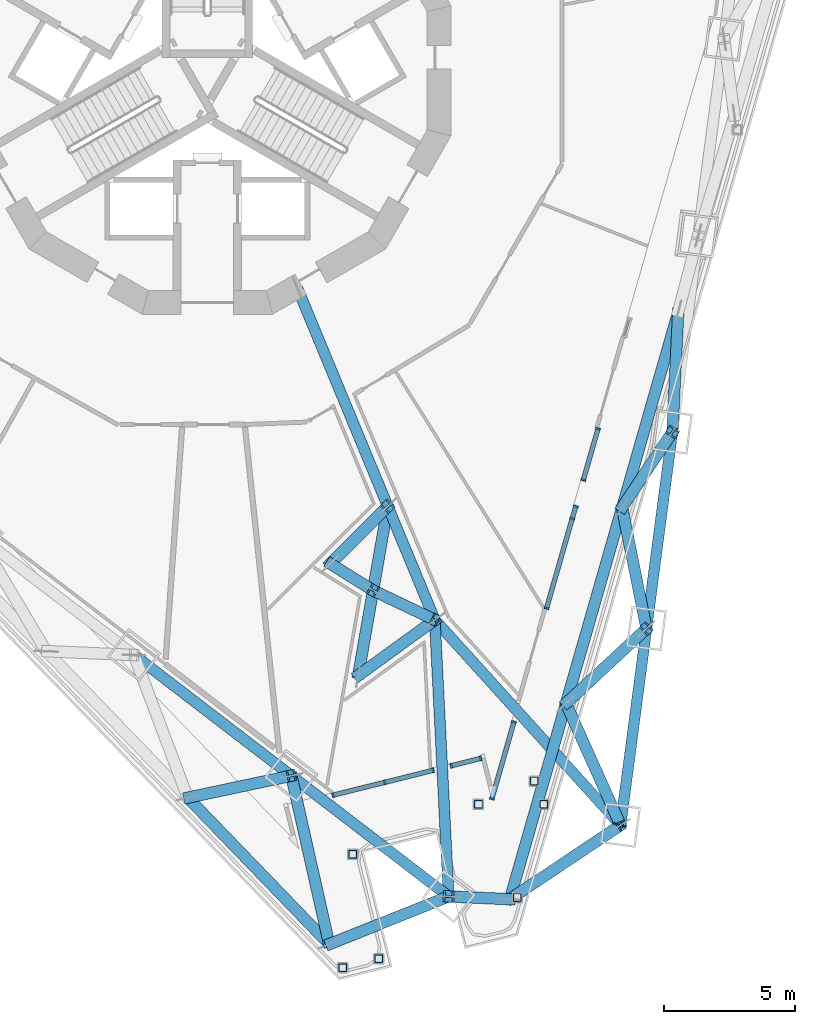
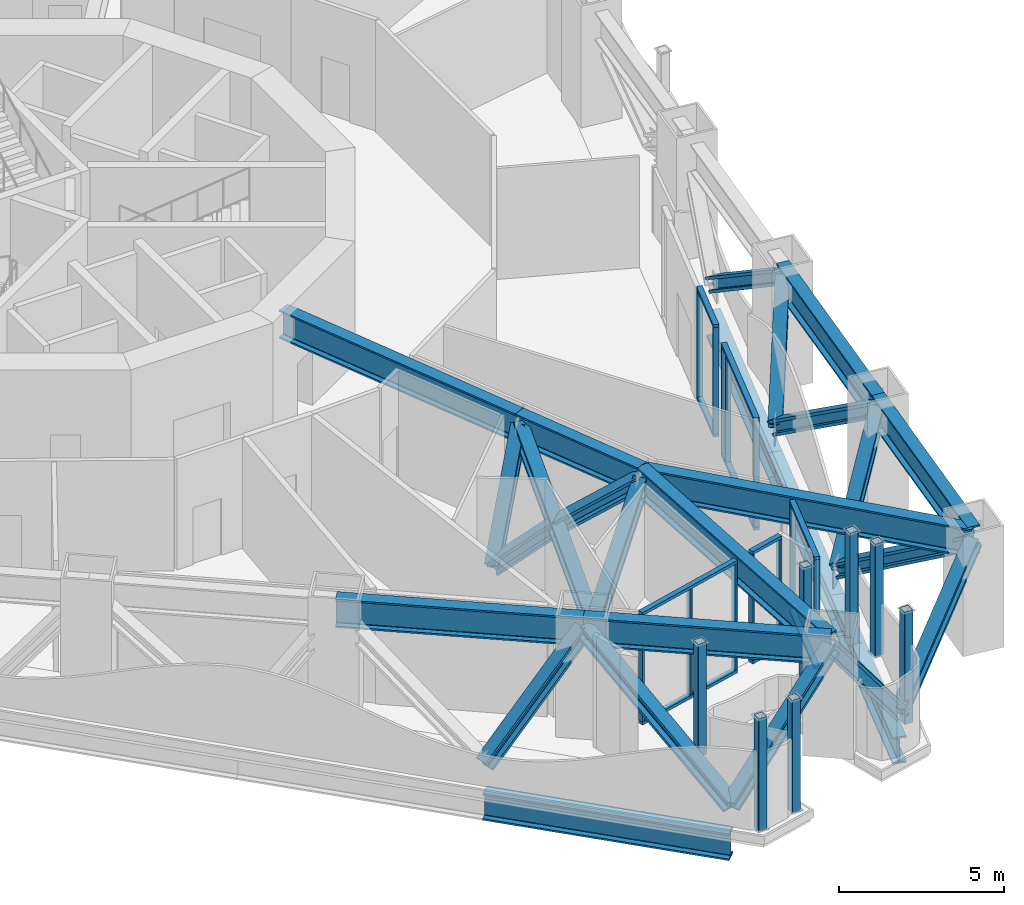
# One storey, part 2 of 26: 52 members, 4 beams, 5 elements without a shape of their own.
"""IFC4 building model written with IfcOpenShell, lengths in metres."""

from ifc_helpers import new_model, si_unit, direction, frame, origin, origin_2d, place, context, subcontext, project, spatial, rectangle, hollow_rectangle, i_section, extrude, material, layer, layer_set, material_profile, profile_set, type_object, element, aggregate, save


model = new_model("IFC4")

# Units and contexts
model_context = context("Model", 3, precision=1e-05, world=origin(), true_north=direction((0.0, 1.0)))
body_context = subcontext(model_context, "Body", "Model", "MODEL_VIEW")
ifc_project = project(units=[si_unit("LENGTHUNIT", "METRE"), si_unit("AREAUNIT", "SQUARE_METRE"), si_unit("VOLUMEUNIT", "CUBIC_METRE"), si_unit("PLANEANGLEUNIT", "RADIAN"), si_unit("MASSUNIT", "GRAM", prefix="KILO")], contexts=[model_context])

# Site, building, storey
site_placement = place(None, origin())
site = spatial("IfcSite", under=ifc_project, at=site_placement, CompositionType="ELEMENT")
building_placement = place(site_placement, origin())
building = spatial("IfcBuilding", under=site, at=building_placement, Name="Trine Commons Tower", CompositionType="ELEMENT")
storey_placement = place(building_placement, frame((0.0, 0.0, 119.699951171875)))
storey = spatial("IfcBuildingStorey", under=building, at=storey_placement, Name="L30", CompositionType="ELEMENT", Elevation=119.699951171875)

# Curtain wall, members
ifc_material_1 = material(Name="Sky lounge glazing: anodised aluminium frame with low-emissivity double glazed unit, solar control", Category="aluminium")
ifc_layer = layer(ifc_material_1, 0.179931640625)
ifc_layer_set = layer_set([ifc_layer], Name="Sky lounge glazing: anodised aluminium frame with low-emissivity double glazed unit, solar control")
curtain_wall_type = type_object("IfcCurtainWallType", Name="Sky lounge glazing curtain wall CW5", PredefinedType="NOTDEFINED", material=ifc_layer_set)
curtain_wall_1_placement = place(storey_placement, origin())
curtain_wall_1 = element("IfcCurtainWall", 1, at=curtain_wall_1_placement, inside=storey, type_object=curtain_wall_type, Name="Sky lounge glazing L30 F2.2", PredefinedType="NOTDEFINED")
ifc_material_2 = material(Name="Anodised aluminium, bronze finish", Category="aluminium")
ifc_material_profile_1 = material_profile(ifc_material_2, rectangle(XDim=0.179931640625, YDim=0.074951171875, at=origin_2d()), Name="Mullion 75x180")
ifc_profile_set_1 = profile_set([ifc_material_profile_1], Name="Anodised aluminium, bronze finish")
member_type_1 = type_object("IfcMemberType", Name="Mullion 75x180, Anodised aluminium, bronze finish", PredefinedType="MULLION", material=ifc_profile_set_1)
member_1_placement = place(storey_placement, frame((94.876220703125, 48.863037109375, 0.110107421875), z_axis=(0.0, 0.0, 1.0), x_axis=(0.961261695938, -0.275637355817, 0.0)))
member_1 = element("IfcMember", 2, at=member_1_placement, type_object=member_type_1, Name="CW5 mullion 1.1", PredefinedType="MULLION", context=body_context, shape_type="SweptSolid", body=[
    extrude(rectangle(XDim=0.179931640625, YDim=0.074951171875, at=origin_2d()), origin(), (0.0, 0.0, 1.0), 3.929931640625),
])
member_2_placement = place(storey_placement, frame((94.318603515625, 46.918212890625, 0.110107421875), z_axis=(0.0, 0.0, 1.0), x_axis=(0.961261695938, -0.275637355817, 0.0)))
member_2 = element("IfcMember", 3, at=member_2_placement, type_object=member_type_1, Name="CW5 mullion 2.1", PredefinedType="MULLION", context=body_context, shape_type="SweptSolid", body=[
    extrude(rectangle(XDim=0.179931640625, YDim=0.074951171875, at=origin_2d()), origin(), (0.0, 0.0, 1.0), 3.929931640625),
])

curtain_wall_2_placement = place(storey_placement, origin())
curtain_wall_2 = element("IfcCurtainWall", 4, at=curtain_wall_2_placement, inside=storey, type_object=curtain_wall_type, Name="Sky lounge glazing L30 F2.3", PredefinedType="NOTDEFINED")
member_3_placement = place(storey_placement, frame((94.029052734375, 45.907958984375, 0.110107421875), z_axis=(0.0, 0.0, 1.0), x_axis=(0.961261695938, -0.275637355817, 0.0)))
member_3 = element("IfcMember", 5, at=member_3_placement, type_object=member_type_1, Name="CW5 mullion 1.1", PredefinedType="MULLION", context=body_context, shape_type="SweptSolid", body=[
    extrude(rectangle(XDim=0.179931640625, YDim=0.074951171875, at=origin_2d()), origin(), (0.0, 0.0, 1.0), 3.929931640625),
])
member_4_placement = place(storey_placement, frame((93.897705078125, 45.449951171875, 0.110107421875), z_axis=(0.0, 0.0, 1.0), x_axis=(0.961261695938, -0.275637355817, 0.0)))
member_4 = element("IfcMember", 6, at=member_4_placement, type_object=member_type_1, Name="CW5 mullion 2.1", PredefinedType="MULLION", context=body_context, shape_type="SweptSolid", body=[
    extrude(rectangle(XDim=0.179931640625, YDim=0.074951171875, at=origin_2d()), origin(), (0.0, 0.0, 1.0), 3.929931640625),
])
member_5_placement = place(storey_placement, frame((92.9189453125, 42.03662109375, 0.110107421875), z_axis=(0.0, 0.0, 1.0), x_axis=(0.961261695938, -0.275637355817, 0.0)))
member_5 = element("IfcMember", 7, at=member_5_placement, type_object=member_type_1, Name="CW5 mullion 3.1", PredefinedType="MULLION", context=body_context, shape_type="SweptSolid", body=[
    extrude(rectangle(XDim=0.179931640625, YDim=0.074951171875, at=origin_2d()), origin(), (0.0, 0.0, 1.0), 3.929931640625),
])

curtain_wall_3_placement = place(storey_placement, origin())
curtain_wall_3 = element("IfcCurtainWall", 8, at=curtain_wall_3_placement, inside=storey, type_object=curtain_wall_type, Name="Sky lounge glazing L30 F2.4", PredefinedType="NOTDEFINED")
member_6_placement = place(storey_placement, frame((91.67431640625, 37.696044921875, 0.110107421875), z_axis=(0.0, 0.0, 1.0), x_axis=(0.961261695938, -0.275637355817, 0.0)))
member_6 = element("IfcMember", 9, at=member_6_placement, type_object=member_type_1, Name="CW5 mullion 1.1", PredefinedType="MULLION", context=body_context, shape_type="SweptSolid", body=[
    extrude(rectangle(XDim=0.179931640625, YDim=0.074951171875, at=origin_2d()), origin(), (0.0, 0.0, 1.0), 3.929931640625),
])
member_7_placement = place(storey_placement, frame((90.838134765625, 34.780029296875, 0.110107421875), z_axis=(0.0, 0.0, 1.0), x_axis=(0.961261695938, -0.275637355817, 0.0)))
member_7 = element("IfcMember", 10, at=member_7_placement, type_object=member_type_1, Name="CW5 mullion 2.1", PredefinedType="MULLION", context=body_context, shape_type="SweptSolid", body=[
    extrude(rectangle(XDim=0.179931640625, YDim=0.074951171875, at=origin_2d()), origin(), (0.0, 0.0, 1.0), 3.929931640625),
])

curtain_wall_4_placement = place(storey_placement, origin())
curtain_wall_4 = element("IfcCurtainWall", 11, at=curtain_wall_4_placement, inside=storey, type_object=curtain_wall_type, Name="Sky lounge glazing L30 P3.1", PredefinedType="NOTDEFINED")
member_8_placement = place(storey_placement, frame((90.406982421875, 36.31201171875, 0.110107421875), z_axis=(0.0, 0.0, 1.0), x_axis=(0.2419218956, -0.970295726276, 0.0)))
member_8 = element("IfcMember", 12, at=member_8_placement, type_object=member_type_1, Name="CW5 mullion 1.1", PredefinedType="MULLION", context=body_context, shape_type="SweptSolid", body=[
    extrude(rectangle(XDim=0.179931640625, YDim=0.074951171875, at=origin_2d()), origin(), (0.0, 0.0, 1.0), 3.929931640625),
])
member_9_placement = place(storey_placement, frame((89.289794921875, 36.033447265625, 0.110107421875), z_axis=(0.0, 0.0, 1.0), x_axis=(0.2419218956, -0.970295726276, 0.0)))
member_9 = element("IfcMember", 13, at=member_9_placement, type_object=member_type_1, Name="CW5 mullion 2.1", PredefinedType="MULLION", context=body_context, shape_type="SweptSolid", body=[
    extrude(rectangle(XDim=0.179931640625, YDim=0.074951171875, at=origin_2d()), origin(), (0.0, 0.0, 1.0), 3.929931640625),
])

curtain_wall_5_placement = place(storey_placement, origin())
curtain_wall_5 = element("IfcCurtainWall", 14, at=curtain_wall_5_placement, inside=storey, type_object=curtain_wall_type, Name="Sky lounge glazing L30 P3.2", PredefinedType="NOTDEFINED")
member_10_placement = place(storey_placement, frame((88.5947265625, 35.860107421875, 0.110107421875), z_axis=(0.0, 0.0, 1.0), x_axis=(0.2419218956, -0.970295726276, 0.0)))
member_10 = element("IfcMember", 15, at=member_10_placement, type_object=member_type_1, Name="CW5 mullion 1.1", PredefinedType="MULLION", context=body_context, shape_type="SweptSolid", body=[
    extrude(rectangle(XDim=0.179931640625, YDim=0.074951171875, at=origin_2d()), origin(), (0.0, 0.0, 1.0), 3.929931640625),
])
member_11_placement = place(storey_placement, frame((86.75634765625, 35.401611328125, 0.110107421875), z_axis=(0.0, 0.0, 1.0), x_axis=(0.2419218956, -0.970295726276, 0.0)))
member_11 = element("IfcMember", 16, at=member_11_placement, type_object=member_type_1, Name="CW5 mullion 2.1", PredefinedType="MULLION", context=body_context, shape_type="SweptSolid", body=[
    extrude(rectangle(XDim=0.179931640625, YDim=0.074951171875, at=origin_2d()), origin(), (0.0, 0.0, 1.0), 3.929931640625),
])
member_12_placement = place(storey_placement, frame((84.789306640625, 34.911376953125, 0.110107421875), z_axis=(0.0, 0.0, 1.0), x_axis=(0.2419218956, -0.970295726276, 0.0)))
member_12 = element("IfcMember", 17, at=member_12_placement, type_object=member_type_1, Name="CW5 mullion 3.1", PredefinedType="MULLION", context=body_context, shape_type="SweptSolid", body=[
    extrude(rectangle(XDim=0.179931640625, YDim=0.074951171875, at=origin_2d()), origin(), (0.0, 0.0, 1.0), 3.929931640625),
])

# Beams
ifc_material_3 = material(Name="Structural steel ASTM A992 Gr50", Category="steel")
ifc_material_profile_2 = material_profile(ifc_material_3, i_section(OverallWidth=0.412841796875, OverallDepth=1.0478515625, WebThickness=0.033935546875, FlangeThickness=0.059814453125, FilletRadius=0.030029296875, at=origin_2d()), Name="W40X431")
ifc_profile_set_2 = profile_set([ifc_material_profile_2], Name="Structural steel ASTM A992 Gr50")
beam_type = type_object("IfcBeamType", Name="Steel beam W40X431, ASTM A992 Gr50", PredefinedType="BEAM", material=ifc_profile_set_2)
for number, where, z_axis, x_axis, name in (
    (18, (95.737548828125, 33.768310546875, 3.626220703125), (-0.670987287231, 0.741468853273, 0.0), (-0.741468853273, -0.670987287231, 0.0), "Transfer truss girder T3-UV-05"),
    (19, (89.188232421875, 31.055419921875, 3.626220703125), (-0.049851005014, 0.998756665709, 0.0), (-0.998756665709, -0.049851005014, 0.0), "Transfer truss girder T3-UV-06"),
):
    element("IfcBeam", number, at=place(storey_placement, frame(where, z_axis=z_axis, x_axis=x_axis)), inside=storey, type_object=beam_type, Name=name, PredefinedType="BEAM", context=body_context, shape_type="SweptSolid", body=[
        extrude(i_section(OverallWidth=0.412841796875, OverallDepth=1.0478515625, WebThickness=0.033935546875, FlangeThickness=0.059814453125, FilletRadius=0.030029296875, at=origin_2d()), origin(), (0.0, 0.0, 1.0), 10.544189453125),
    ])
beam_1_placement = place(storey_placement, frame((83.426025390625, 54.228515625, 3.626220703125), z_axis=(0.382711888023, -0.923867745278, 0.0), x_axis=(0.923867745278, 0.382711888023, 0.0)))
element("IfcBeam", 20, at=beam_1_placement, inside=storey, type_object=beam_type, Name="Transfer truss girder T3-UR-01", PredefinedType="BEAM", context=body_context, shape_type="SweptSolid", body=[
    extrude(i_section(OverallWidth=0.412841796875, OverallDepth=1.0478515625, WebThickness=0.033935546875, FlangeThickness=0.059814453125, FilletRadius=0.030029296875, at=origin_2d()), origin(), (0.0, 0.0, 1.0), 9.001708984375),
])
beam_2_placement = place(storey_placement, frame((86.87109375, 45.912109375, 3.626220703125), z_axis=(0.382637325897, -0.923898629088, 0.0), x_axis=(0.923898629088, 0.382637325897, 0.0)))
element("IfcBeam", 21, at=beam_2_placement, inside=storey, type_object=beam_type, Name="Transfer truss girder T3-UR-02", PredefinedType="BEAM", context=body_context, shape_type="SweptSolid", body=[
    extrude(i_section(OverallWidth=0.412841796875, OverallDepth=1.0478515625, WebThickness=0.033935546875, FlangeThickness=0.059814453125, FilletRadius=0.030029296875, at=origin_2d()), origin(), (0.0, 0.0, 1.0), 4.681884765625),
])

# Members
ifc_material_profile_3 = material_profile(ifc_material_3, i_section(OverallWidth=0.43798828125, OverallDepth=0.514404296875, WebThickness=0.060546875, FlangeThickness=0.096923828125, FilletRadius=0.015380859375, at=origin_2d()), Name="W14X550")
ifc_profile_set_3 = profile_set([ifc_material_profile_3], Name="Structural steel ASTM A992 Gr50")
member_type_2 = type_object("IfcMemberType", Name="Steel brace W14X550, ASTM A992 Gr50", PredefinedType="BRACE", material=ifc_profile_set_3)
member_13_placement = place(storey_placement, frame((91.51904296875, 30.950927734375, 0.49365234375), z_axis=(-0.59673067829, 0.026751935719, 0.801995530862), x_axis=(-0.044785854109, -0.99899661024, 0.0)))
element("IfcMember", 22, at=member_13_placement, inside=storey, type_object=member_type_2, Name="Transfer truss brace T3-DG-01", PredefinedType="BRACE", context=body_context, shape_type="SweptSolid", body=[
    extrude(i_section(OverallWidth=0.43798828125, OverallDepth=0.514404296875, WebThickness=0.060546875, FlangeThickness=0.096923828125, FilletRadius=0.015380859375, at=origin_2d()), origin(), (0.0, 0.0, 1.0), 3.906005859375),
])
member_14_placement = place(storey_placement, frame((84.640625, 29.236083984375, 0.49365234375), z_axis=(0.78216943423, 0.31291816309, 0.538788640716), x_axis=(-0.3714422392, 0.928456064086, 0.0)))
element("IfcMember", 23, at=member_14_placement, inside=storey, type_object=member_type_2, Name="Transfer truss brace T3-DG-02", PredefinedType="BRACE", context=body_context, shape_type="SweptSolid", body=[
    extrude(i_section(OverallWidth=0.43798828125, OverallDepth=0.514404296875, WebThickness=0.060546875, FlangeThickness=0.096923828125, FilletRadius=0.015380859375, at=origin_2d()), origin(), (0.0, 0.0, 1.0), 5.814208984375),
])
member_15_placement = place(storey_placement, frame((79.251708984375, 34.81640625, 0.49365234375), z_axis=(0.772586249572, 0.163744301039, 0.613431569818), x_axis=(-0.20733743745, 0.978269485894, 0.0)))
element("IfcMember", 24, at=member_15_placement, inside=storey, type_object=member_type_2, Name="Transfer truss brace T3-DG-03", PredefinedType="BRACE", context=body_context, shape_type="SweptSolid", body=[
    extrude(i_section(OverallWidth=0.43798828125, OverallDepth=0.514404296875, WebThickness=0.060546875, FlangeThickness=0.096923828125, FilletRadius=0.015380859375, at=origin_2d()), origin(), (0.0, 0.0, 1.0), 5.106689453125),
])
member_16_placement = place(storey_placement, frame((84.640625, 29.236083984375, 0.49365234375), z_axis=(-0.198166177865, 0.880805595577, 0.430013568101), x_axis=(-0.975613333361, -0.21949629557, 0.0)))
element("IfcMember", 25, at=member_16_placement, inside=storey, type_object=member_type_2, Name="Transfer truss brace T3-DG-04", PredefinedType="BRACE", context=body_context, shape_type="SweptSolid", body=[
    extrude(i_section(OverallWidth=0.43798828125, OverallDepth=0.514404296875, WebThickness=0.060546875, FlangeThickness=0.096923828125, FilletRadius=0.015380859375, at=origin_2d()), origin(), (0.0, 0.0, 1.0), 7.284912109375),
])
member_17_placement = place(storey_placement, frame((95.795654296875, 45.865234375, 0.49365234375), z_axis=(0.410214914932, 0.616971188249, 0.671617656437), x_axis=(-0.832734407817, 0.553672652419, 0.0)))
element("IfcMember", 26, at=member_17_placement, inside=storey, type_object=member_type_2, Name="Transfer truss brace T3-DG-43", PredefinedType="BRACE", context=body_context, shape_type="SweptSolid", body=[
    extrude(i_section(OverallWidth=0.43798828125, OverallDepth=0.514404296875, WebThickness=0.060546875, FlangeThickness=0.096923828125, FilletRadius=0.015380859375, at=origin_2d()), origin(), (0.0, 0.0, 1.0), 4.664306640625),
])
member_18_placement = place(storey_placement, frame((97.93408203125, 53.322509765625, 0.49365234375), z_axis=(-0.040535904285, -0.824699015813, 0.564117340436), x_axis=(0.998794207088, -0.04909309409, 0.0)))
element("IfcMember", 27, at=member_18_placement, inside=storey, type_object=member_type_2, Name="Transfer truss brace T3-DG-44", PredefinedType="BRACE", context=body_context, shape_type="SweptSolid", body=[
    extrude(i_section(OverallWidth=0.43798828125, OverallDepth=0.514404296875, WebThickness=0.060546875, FlangeThickness=0.096923828125, FilletRadius=0.015380859375, at=origin_2d()), origin(), (0.0, 0.0, 1.0), 5.552978515625),
])
member_19_placement = place(storey_placement, frame((93.657470703125, 38.408203125, 0.49365234375), z_axis=(0.586564085313, 0.544760067447, 0.599315478472), x_axis=(-0.680513761128, 0.732735300716, 0.0)))
element("IfcMember", 28, at=member_19_placement, inside=storey, type_object=member_type_2, Name="Transfer truss brace T3-DG-45", PredefinedType="BRACE", context=body_context, shape_type="SweptSolid", body=[
    extrude(i_section(OverallWidth=0.43798828125, OverallDepth=0.514404296875, WebThickness=0.060546875, FlangeThickness=0.096923828125, FilletRadius=0.015380859375, at=origin_2d()), origin(), (0.0, 0.0, 1.0), 5.226806640625),
])
member_20_placement = place(storey_placement, frame((95.795654296875, 45.865234375, 0.49365234375), z_axis=(0.164201380738, -0.815864807822, 0.55443892533), x_axis=(0.980342312044, 0.197304209828, 0.0)))
element("IfcMember", 29, at=member_20_placement, inside=storey, type_object=member_type_2, Name="Transfer truss brace T3-DG-46", PredefinedType="BRACE", context=body_context, shape_type="SweptSolid", body=[
    extrude(i_section(OverallWidth=0.43798828125, OverallDepth=0.514404296875, WebThickness=0.060546875, FlangeThickness=0.096923828125, FilletRadius=0.015380859375, at=origin_2d()), origin(), (0.0, 0.0, 1.0), 5.64990234375),
])
member_21_placement = place(storey_placement, frame((91.51904296875, 30.950927734375, 0.49365234375), z_axis=(0.707555823394, 0.472550159267, 0.525415172752), x_axis=(-0.555388596318, 0.831590949374, 0.0)))
element("IfcMember", 30, at=member_21_placement, inside=storey, type_object=member_type_2, Name="Transfer truss brace T3-DG-47", PredefinedType="BRACE", context=body_context, shape_type="SweptSolid", body=[
    extrude(i_section(OverallWidth=0.43798828125, OverallDepth=0.514404296875, WebThickness=0.060546875, FlangeThickness=0.096923828125, FilletRadius=0.015380859375, at=origin_2d()), origin(), (0.0, 0.0, 1.0), 5.962158203125),
])
member_22_placement = place(storey_placement, frame((93.657470703125, 38.408203125, 0.49365234375), z_axis=(0.348287882002, -0.776902722704, 0.524516644831), x_axis=(0.912500054312, 0.409076583149, 0.0)))
element("IfcMember", 31, at=member_22_placement, inside=storey, type_object=member_type_2, Name="Transfer truss brace T3-DG-48", PredefinedType="BRACE", context=body_context, shape_type="SweptSolid", body=[
    extrude(i_section(OverallWidth=0.43798828125, OverallDepth=0.514404296875, WebThickness=0.060546875, FlangeThickness=0.096923828125, FilletRadius=0.015380859375, at=origin_2d()), origin(), (0.0, 0.0, 1.0), 5.972412109375),
])
member_23_placement = place(storey_placement, frame((84.6806640625, 43.726806640625, 0.49365234375), z_axis=(0.497484376886, 0.496319957368, 0.711460325438), x_axis=(-0.706277794327, 0.707934797308, 0.0)))
element("IfcMember", 32, at=member_23_placement, inside=storey, type_object=member_type_2, Name="Transfer truss brace T3-DG-49", PredefinedType="BRACE", context=body_context, shape_type="SweptSolid", body=[
    extrude(i_section(OverallWidth=0.43798828125, OverallDepth=0.514404296875, WebThickness=0.060546875, FlangeThickness=0.096923828125, FilletRadius=0.015380859375, at=origin_2d()), origin(), (0.0, 0.0, 1.0), 4.403076171875),
])
member_24_placement = place(storey_placement, frame((85.742919921875, 39.4658203125, 0.49365234375), z_axis=(0.155494995535, 0.888485146529, 0.431758556094), x_axis=(-0.985028566728, 0.172391190988, 0.0)))
element("IfcMember", 33, at=member_24_placement, inside=storey, type_object=member_type_2, Name="Transfer truss brace T3-DG-50", PredefinedType="BRACE", context=body_context, shape_type="SweptSolid", body=[
    extrude(i_section(OverallWidth=0.43798828125, OverallDepth=0.514404296875, WebThickness=0.060546875, FlangeThickness=0.096923828125, FilletRadius=0.015380859375, at=origin_2d()), origin(), (0.0, 0.0, 1.0), 7.25537109375),
])
member_25_placement = place(storey_placement, frame((85.742919921875, 39.4658203125, 0.49365234375), z_axis=(0.610997521497, 0.443776609392, 0.655548891908), x_axis=(-0.58766470667, 0.809104562176, 0.0)))
element("IfcMember", 34, at=member_25_placement, inside=storey, type_object=member_type_2, Name="Transfer truss brace T3-DG-51", PredefinedType="BRACE", context=body_context, shape_type="SweptSolid", body=[
    extrude(i_section(OverallWidth=0.43798828125, OverallDepth=0.514404296875, WebThickness=0.060546875, FlangeThickness=0.096923828125, FilletRadius=0.015380859375, at=origin_2d()), origin(), (0.0, 0.0, 1.0), 4.778564453125),
])
member_26_placement = place(storey_placement, frame((84.6806640625, 43.726806640625, 0.49365234375), z_axis=(0.655922854256, -0.408858906607, 0.634507370921), x_axis=(0.528981775208, 0.848633184302, 0.0)))
element("IfcMember", 35, at=member_26_placement, inside=storey, type_object=member_type_2, Name="Transfer truss brace T3-DG-52a", PredefinedType="BRACE", context=body_context, shape_type="SweptSolid", body=[
    extrude(i_section(OverallWidth=0.43798828125, OverallDepth=0.514404296875, WebThickness=0.060546875, FlangeThickness=0.096923828125, FilletRadius=0.015380859375, at=origin_2d()), origin(), (0.0, 0.0, 1.0), 2.4853515625),
])
member_27_placement = place(storey_placement, frame((86.310791015625, 42.710693359375, 2.070556640625), z_axis=(0.77473372942, -0.3703569837, 0.512467904481), x_axis=(0.431296415597, 0.902210286958, 0.0)))
element("IfcMember", 36, at=member_27_placement, inside=storey, type_object=member_type_2, Name="Transfer truss brace T3-DG-52b", PredefinedType="BRACE", context=body_context, shape_type="SweptSolid", body=[
    extrude(i_section(OverallWidth=0.43798828125, OverallDepth=0.514404296875, WebThickness=0.060546875, FlangeThickness=0.096923828125, FilletRadius=0.015380859375, at=origin_2d()), origin(), (0.0, 0.0, 1.0), 3.03564453125),
])
ifc_material_profile_4 = material_profile(ifc_material_3, i_section(OverallWidth=0.431884765625, OverallDepth=0.9873046875, WebThickness=0.034423828125, FlangeThickness=0.06201171875, FilletRadius=0.024169921875, at=origin_2d()), Name="W36X441")
ifc_profile_set_4 = profile_set([ifc_material_profile_4], Name="Structural steel ASTM A992 Gr50")
member_type_3 = type_object("IfcMemberType", Name="Steel chord W36X441, ASTM A992 Gr50", PredefinedType="CHORD", material=ifc_profile_set_4)
member_28_placement = place(storey_placement, frame((84.640625, 29.236083984375, -0.943603515625), z_axis=(-0.694662468896, 0.719335842502, 0.0), x_axis=(-0.719335842502, -0.694662468896, 0.0)))
element("IfcMember", 37, at=member_28_placement, inside=storey, type_object=member_type_3, Name="Transfer truss chord T3-LC-01", PredefinedType="CHORD", context=body_context, shape_type="SweptSolid", body=[
    extrude(i_section(OverallWidth=0.431884765625, OverallDepth=0.9873046875, WebThickness=0.034423828125, FlangeThickness=0.06201171875, FilletRadius=0.024169921875, at=origin_2d()), origin(), (0.0, 0.0, 1.0), 7.757568359375),
])
member_29_placement = place(storey_placement, frame((97.93408203125, 53.322509765625, -0.943603515625), z_axis=(-0.275647888077, -0.961258675799, 0.0), x_axis=(0.961258675799, -0.275647888077, 0.0)))
element("IfcMember", 38, at=member_29_placement, inside=storey, type_object=member_type_3, Name="Transfer truss chord T3-LC-19", PredefinedType="CHORD", context=body_context, shape_type="SweptSolid", body=[
    extrude(i_section(OverallWidth=0.431884765625, OverallDepth=0.9873046875, WebThickness=0.034423828125, FlangeThickness=0.06201171875, FilletRadius=0.024169921875, at=origin_2d()), origin(), (0.0, 0.0, 1.0), 7.7578125),
])
member_30_placement = place(storey_placement, frame((95.795654296875, 45.865234375, -0.943603515625), z_axis=(-0.275627146761, -0.961264623279, 0.0), x_axis=(0.961264623279, -0.275627146761, 0.0)))
element("IfcMember", 39, at=member_30_placement, inside=storey, type_object=member_type_3, Name="Transfer truss chord T3-LC-20", PredefinedType="CHORD", context=body_context, shape_type="SweptSolid", body=[
    extrude(i_section(OverallWidth=0.431884765625, OverallDepth=0.9873046875, WebThickness=0.034423828125, FlangeThickness=0.06201171875, FilletRadius=0.024169921875, at=origin_2d()), origin(), (0.0, 0.0, 1.0), 7.757568359375),
])
member_31_placement = place(storey_placement, frame((93.657470703125, 38.408203125, -0.943603515625), z_axis=(-0.275647888077, -0.961258675799, 0.0), x_axis=(0.961258675799, -0.275647888077, 0.0)))
element("IfcMember", 40, at=member_31_placement, inside=storey, type_object=member_type_3, Name="Transfer truss chord T3-LC-21", PredefinedType="CHORD", context=body_context, shape_type="SweptSolid", body=[
    extrude(i_section(OverallWidth=0.431884765625, OverallDepth=0.9873046875, WebThickness=0.034423828125, FlangeThickness=0.06201171875, FilletRadius=0.024169921875, at=origin_2d()), origin(), (0.0, 0.0, 1.0), 7.7578125),
])
ifc_material_profile_5 = material_profile(ifc_material_3, i_section(OverallWidth=0.412841796875, OverallDepth=1.0478515625, WebThickness=0.033935546875, FlangeThickness=0.059814453125, FilletRadius=0.030029296875, at=origin_2d()), Name="W40X431")
ifc_profile_set_5 = profile_set([ifc_material_profile_5], Name="Structural steel ASTM A992 Gr50")
member_type_4 = type_object("IfcMemberType", Name="Steel chord W40X431, ASTM A992 Gr50", PredefinedType="CHORD", material=ifc_profile_set_5)
member_32_placement = place(storey_placement, frame((89.188232421875, 31.055419921875, 3.626220703125), z_axis=(-0.793356529938, 0.608757272157, 0.0), x_axis=(-0.608757272157, -0.793356529938, 0.0)))
element("IfcMember", 41, at=member_32_placement, inside=storey, type_object=member_type_4, Name="Transfer truss chord T3-UC-01", PredefinedType="CHORD", context=body_context, shape_type="SweptSolid", body=[
    extrude(i_section(OverallWidth=0.412841796875, OverallDepth=1.0478515625, WebThickness=0.033935546875, FlangeThickness=0.059814453125, FilletRadius=0.030029296875, at=origin_2d()), origin(), (0.0, 0.0, 1.0), 7.5517578125),
])
for number, where, z_axis, x_axis, name in (
    (42, (83.197021484375, 35.652587890625, 3.626220703125), (-0.793352897067, 0.608762006629, 0.0), (-0.608762006629, -0.793352897067, 0.0), "Transfer truss chord T3-UC-02"),
    (43, (97.708984375, 48.742919921875, 3.626220703125), (-0.130509706106, -0.991447031672, 0.0), (0.991447031672, -0.130509706106, 0.0), "Transfer truss chord T3-UC-20"),
    (44, (96.723388671875, 41.255615234375, 3.626220703125), (-0.130541483651, -0.991442848099, 0.0), (0.991442848099, -0.130541483651, 0.0), "Transfer truss chord T3-UC-21"),
):
    element("IfcMember", number, at=place(storey_placement, frame(where, z_axis=z_axis, x_axis=x_axis)), inside=storey, type_object=member_type_4, Name=name, PredefinedType="CHORD", context=body_context, shape_type="SweptSolid", body=[
        extrude(i_section(OverallWidth=0.412841796875, OverallDepth=1.0478515625, WebThickness=0.033935546875, FlangeThickness=0.059814453125, FilletRadius=0.030029296875, at=origin_2d()), origin(), (0.0, 0.0, 1.0), 7.552001953125),
    ])
ifc_material_4 = material(Name="Structural steel ASTM A500 Gr C", Category="steel")
ifc_material_profile_6 = material_profile(ifc_material_4, hollow_rectangle(XDim=0.3046875, YDim=0.3046875, WallThickness=0.014892578125, InnerFilletRadius=0.00732421875, OuterFilletRadius=0.022216796875, at=origin_2d()), Name="HSS12X12X5/8")
ifc_profile_set_6 = profile_set([ifc_material_profile_6], Name="Structural steel ASTM A500 Gr C")
member_type_5 = type_object("IfcMemberType", Name="Steel post HSS12X12X5/8, ASTM A500 Gr C", PredefinedType="POST", material=ifc_profile_set_6)
for number, where, z_axis, x_axis, name in (
    (45, (85.532470703125, 32.6630859375, 0.0), (0.0, 0.0, 1.0), (1.0, 0.0, 0.0), "Roof post SP3-31"),
    (46, (86.524169921875, 28.68603515625, 0.0), (0.0, 0.0, 1.0), (1.0, 0.0, 0.0), "Roof post SP3-32"),
    (47, (85.154052734375, 28.344482421875, 0.0), (0.0, 0.0, 1.0), (1.0, 0.0, 0.0), "Roof post SP3-33"),
    (48, (91.797119140625, 31.013916015625, 0.0), (0.0, 0.0, 1.0), (1.0, 0.0, 0.0), "Roof post SP3-41"),
    (49, (90.32470703125, 34.568603515625, 0.0), (0.0, 0.0, 1.0), (1.0, 0.0, 0.0), "Roof post SP3-42"),
    (50, (92.44970703125, 35.44873046875, 0.0), (0.0, 0.0, 1.0), (1.0, 0.0, 0.0), "Roof post SP3-43"),
    (51, (92.815673828125, 34.5654296875, 0.0), (0.0, 0.0, 1.0), (1.0, 0.0, 0.0), "Roof post SP3-44"),
):
    element("IfcMember", number, at=place(storey_placement, frame(where, z_axis=z_axis, x_axis=x_axis)), inside=storey, type_object=member_type_5, Name=name, PredefinedType="POST", context=body_context, shape_type="SweptSolid", body=[
        extrude(hollow_rectangle(XDim=0.3046875, YDim=0.3046875, WallThickness=0.014892578125, InnerFilletRadius=0.00732421875, OuterFilletRadius=0.022216796875, at=origin_2d()), origin(), (0.0, 0.0, 1.0), 4.150146484375),
    ])

# Member
ifc_material_profile_7 = material_profile(ifc_material_2, rectangle(XDim=0.179931640625, YDim=0.110107421875, at=origin_2d()), Name="Transom 110x180")
ifc_profile_set_7 = profile_set([ifc_material_profile_7], Name="Anodised aluminium, bronze finish")
member_type_6 = type_object("IfcMemberType", Name="Transom 110x180, Anodised aluminium, bronze finish", PredefinedType="USERDEFINED", material=ifc_profile_set_7)
member_33_placement = place(storey_placement, frame((94.88671875, 48.899169921875, 0.054931640625), z_axis=(-0.275658469279, -0.9612556415, 0.0), x_axis=(0.9612556415, -0.275658469279, 0.0)))
member_33 = element("IfcMember", 52, at=member_33_placement, type_object=member_type_6, Name="CW5 transom T00", ObjectType="TRANSOM", PredefinedType="USERDEFINED", context=body_context, shape_type="SweptSolid", body=[
    extrude(rectangle(XDim=0.179931640625, YDim=0.110107421875, at=origin_2d()), origin(), (0.0, 0.0, 1.0), 2.09814453125),
])

member_34_placement = place(storey_placement, frame((94.88671875, 48.899169921875, 4.094970703125), z_axis=(-0.275658469279, -0.9612556415, 0.0), x_axis=(0.9612556415, -0.275658469279, 0.0)))
member_34 = element("IfcMember", 53, at=member_34_placement, type_object=member_type_6, Name="CW5 transom TH00", ObjectType="TRANSOM", PredefinedType="USERDEFINED", context=body_context, shape_type="SweptSolid", body=[
    extrude(rectangle(XDim=0.179931640625, YDim=0.110107421875, at=origin_2d()), origin(), (0.0, 0.0, 1.0), 2.09814453125),
])

aggregate(curtain_wall_1, [member_33, member_34, member_1, member_2])

member_35_placement = place(storey_placement, frame((94.039306640625, 45.944091796875, 0.054931640625), z_axis=(-0.275609228721, -0.961269760808, 0.0), x_axis=(0.961269760808, -0.275609228721, 0.0)))
member_35 = element("IfcMember", 54, at=member_35_placement, type_object=member_type_6, Name="CW5 transom T00", ObjectType="TRANSOM", PredefinedType="USERDEFINED", context=body_context, shape_type="SweptSolid", body=[
    extrude(rectangle(XDim=0.179931640625, YDim=0.110107421875, at=origin_2d()), origin(), (0.0, 0.0, 1.0), 4.102294921875),
])

member_36_placement = place(storey_placement, frame((94.039306640625, 45.944091796875, 4.094970703125), z_axis=(-0.275609228721, -0.961269760808, 0.0), x_axis=(0.961269760808, -0.275609228721, 0.0)))
member_36 = element("IfcMember", 55, at=member_36_placement, type_object=member_type_6, Name="CW5 transom TH00", ObjectType="TRANSOM", PredefinedType="USERDEFINED", context=body_context, shape_type="SweptSolid", body=[
    extrude(rectangle(XDim=0.179931640625, YDim=0.110107421875, at=origin_2d()), origin(), (0.0, 0.0, 1.0), 4.102294921875),
])

aggregate(curtain_wall_2, [member_35, member_36, member_3, member_4, member_5])

member_37_placement = place(storey_placement, frame((91.6845703125, 37.732177734375, 0.054931640625), z_axis=(-0.275581947413, -0.961277582314, 0.0), x_axis=(0.961277582314, -0.275581947413, 0.0)))
member_37 = element("IfcMember", 56, at=member_37_placement, type_object=member_type_6, Name="CW5 transom T00", ObjectType="TRANSOM", PredefinedType="USERDEFINED", context=body_context, shape_type="SweptSolid", body=[
    extrude(rectangle(XDim=0.179931640625, YDim=0.110107421875, at=origin_2d()), origin(), (0.0, 0.0, 1.0), 3.108642578125),
])

member_38_placement = place(storey_placement, frame((91.6845703125, 37.732177734375, 4.094970703125), z_axis=(-0.275581947413, -0.961277582314, 0.0), x_axis=(0.961277582314, -0.275581947413, 0.0)))
member_38 = element("IfcMember", 57, at=member_38_placement, type_object=member_type_6, Name="CW5 transom TH00", ObjectType="TRANSOM", PredefinedType="USERDEFINED", context=body_context, shape_type="SweptSolid", body=[
    extrude(rectangle(XDim=0.179931640625, YDim=0.110107421875, at=origin_2d()), origin(), (0.0, 0.0, 1.0), 3.108642578125),
])

aggregate(curtain_wall_3, [member_37, member_38, member_6, member_7])

member_39_placement = place(storey_placement, frame((90.443603515625, 36.321044921875, 0.054931640625), z_axis=(-0.970317868947, -0.241833068876, 0.0), x_axis=(0.241833068876, -0.970317868947, 0.0)))
member_39 = element("IfcMember", 58, at=member_39_placement, type_object=member_type_6, Name="CW5 transom T00", ObjectType="TRANSOM", PredefinedType="USERDEFINED", context=body_context, shape_type="SweptSolid", body=[
    extrude(rectangle(XDim=0.179931640625, YDim=0.110107421875, at=origin_2d()), origin(), (0.0, 0.0, 1.0), 1.2265625),
])

member_40_placement = place(storey_placement, frame((90.443603515625, 36.321044921875, 4.094970703125), z_axis=(-0.970317868947, -0.241833068876, 0.0), x_axis=(0.241833068876, -0.970317868947, 0.0)))
member_40 = element("IfcMember", 59, at=member_40_placement, type_object=member_type_6, Name="CW5 transom TH00", ObjectType="TRANSOM", PredefinedType="USERDEFINED", context=body_context, shape_type="SweptSolid", body=[
    extrude(rectangle(XDim=0.179931640625, YDim=0.110107421875, at=origin_2d()), origin(), (0.0, 0.0, 1.0), 1.2265625),
])

aggregate(curtain_wall_4, [member_39, member_40, member_8, member_9])

member_41_placement = place(storey_placement, frame((88.631103515625, 35.869140625, 0.054931640625), z_axis=(-0.970289636912, -0.241946317394, 0.0), x_axis=(0.241946317394, -0.970289636912, 0.0)))
member_41 = element("IfcMember", 60, at=member_41_placement, type_object=member_type_6, Name="CW5 transom T00", ObjectType="TRANSOM", PredefinedType="USERDEFINED", context=body_context, shape_type="SweptSolid", body=[
    extrude(rectangle(XDim=0.179931640625, YDim=0.110107421875, at=origin_2d()), origin(), (0.0, 0.0, 1.0), 3.996826171875),
])

member_42_placement = place(storey_placement, frame((88.631103515625, 35.869140625, 4.094970703125), z_axis=(-0.970289636912, -0.241946317394, 0.0), x_axis=(0.241946317394, -0.970289636912, 0.0)))
member_42 = element("IfcMember", 61, at=member_42_placement, type_object=member_type_6, Name="CW5 transom TH00", ObjectType="TRANSOM", PredefinedType="USERDEFINED", context=body_context, shape_type="SweptSolid", body=[
    extrude(rectangle(XDim=0.179931640625, YDim=0.110107421875, at=origin_2d()), origin(), (0.0, 0.0, 1.0), 3.996826171875),
])

aggregate(curtain_wall_5, [member_41, member_42, member_10, member_11, member_12])

save(model, "model.ifc")
